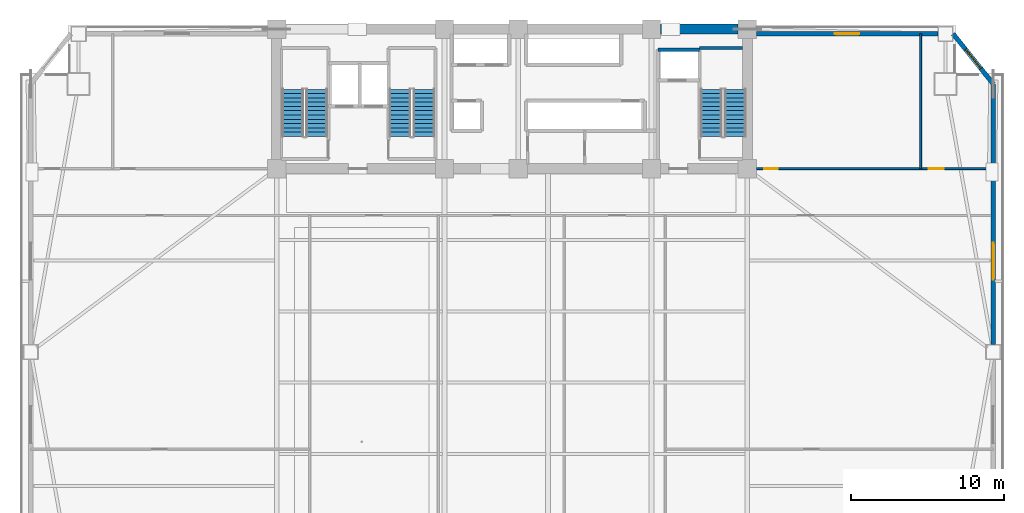
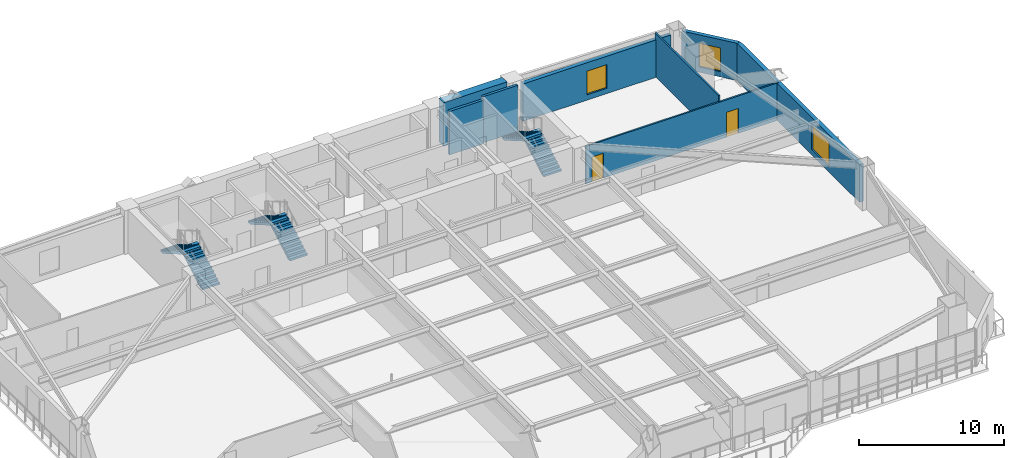
# One storey, part 12 of 18: 8 walls, 6 stair flights, 3 windows, 2 doors, 5 openings, 3 elements without a shape of their own.
"""IFC4 building model written with IfcOpenShell, lengths in metres."""

from ifc_helpers import new_model, si_unit, direction, frame, frame_2d, origin, place, context, subcontext, project, spatial, polyline, rectangle, outline, extrude, source, transform, mapped, material, layer, layer_set, type_object, element, fill, aggregate, save


model = new_model("IFC4")

# Units and contexts
model_context = context("Model", 3, precision=1e-05, world=origin(), true_north=direction((0.0, 1.0)))
body_context = subcontext(model_context, "Body", "Model", "MODEL_VIEW")
ifc_project = project(units=[si_unit("LENGTHUNIT", "METRE"), si_unit("AREAUNIT", "SQUARE_METRE"), si_unit("VOLUMEUNIT", "CUBIC_METRE"), si_unit("PLANEANGLEUNIT", "RADIAN"), si_unit("MASSUNIT", "GRAM", prefix="KILO")], contexts=[model_context])

# Site, building, storey
site_placement = place(None, origin())
site = spatial("IfcSite", under=ifc_project, at=site_placement, CompositionType="ELEMENT")
building_placement = place(site_placement, origin())
building = spatial("IfcBuilding", under=site, at=building_placement, Name="Giltprow Tower", CompositionType="ELEMENT")
storey_placement = place(building_placement, frame((0.0, 0.0, 61.10009765625)))
storey = spatial("IfcBuildingStorey", under=building, at=storey_placement, Name="L15", CompositionType="ELEMENT", Elevation=61.10009765625)

# Wall, opening, window
ifc_material_1 = material(Name="Precast concrete C40", Category="concrete")
ifc_layer_1 = layer(ifc_material_1, 0.300048828125, Name="Precast concrete C40")
ifc_layer_set_1 = layer_set([ifc_layer_1], Name="Precast concrete C40")
wall_type_1 = type_object("IfcWallType", Name="EW-NOTCH-CHAMFER-300", PredefinedType="SOLIDWALL", material=ifc_layer_set_1)
wall_1_placement = place(storey_placement, frame((66.595947265625, 42.97802734375, 0.0), z_axis=(0.0, 0.0, 1.0), x_axis=(-0.625312639048, 0.780374335461, 0.0)))
wall_1 = element("IfcWall", 1, at=wall_1_placement, inside=storey, type_object=wall_type_1, Name="L15 Corner Notch Wall NE", PredefinedType="SOLIDWALL", context=body_context, shape_type="SweptSolid", body=[
    extrude(rectangle(XDim=4.19287109375, YDim=0.300048828125, at=frame_2d((2.096435546875, 0.0))), origin(), (0.0, 0.0, 1.0), 3.159912109375),
])
opening_1_placement = place(wall_1_placement, frame((1.2958984375, 0.0, 0.449951171875)))
opening_1 = element("IfcOpeningElement", 2, at=opening_1_placement, cuts=wall_1, Name="Opening WN17", PredefinedType="OPENING", context=body_context, shape_type="SweptSolid", body=[
    extrude(rectangle(XDim=1.60009765625, YDim=2.0, at=frame_2d((0.800048828125, 1.0))), frame((0.0, 0.159912109375, 0.0), z_axis=(0.0, -1.0, 0.0), x_axis=(1.0, 0.0, 0.0)), (0.0, 0.0, 1.0), 0.320068359375),
])
ifc_material_2 = material(Name="Insulated glass", Category="glass")
window_type_1 = type_object("IfcWindowType", Name="WN-COR-1600x2000", PartitioningType="SINGLE_PANEL", PredefinedType="WINDOW", material=ifc_material_2)
shared_shape_1 = source(origin(), body_context, "Body", "SweptSolid", [
    extrude(rectangle(XDim=1.60009765625, YDim=2.0, at=frame_2d((0.800048828125, 1.0))), frame((0.0, 0.030029296875, 0.0), z_axis=(0.0, -1.0, 0.0), x_axis=(1.0, 0.0, 0.0)), (0.0, 0.0, 1.0), 0.06005859375),
])
window_1_placement = place(opening_1_placement, origin())
window_1 = element("IfcWindow", 3, at=window_1_placement, inside=storey, type_object=window_type_1, Name="L15 Corner Notch Window NE", OverallHeight=2.0, OverallWidth=1.60009765625, PartitioningType="SINGLE_PANEL", PredefinedType="WINDOW", context=body_context, shape_type="MappedRepresentation", body=[
    mapped(shared_shape_1, transform((0.0, 0.0, 0.0), x_axis=(1.0, 0.0, 0.0), y_axis=(0.0, 1.0, 0.0), z_axis=(0.0, 0.0, 1.0), scale=1.0)),
])
fill(opening_1, window_1)

ifc_layer_2 = layer(ifc_material_1, 0.320068359375, Name="Precast concrete C40")
ifc_layer_set_2 = layer_set([ifc_layer_2], Name="Precast concrete C40")
wall_type_2 = type_object("IfcWallType", Name="EW-TOW-STONE-320", PredefinedType="SOLIDWALL", material=ifc_layer_set_2)
wall_2_placement = place(storey_placement, frame((66.595947265625, 25.990966796875, 0.0), z_axis=(0.0, 0.0, 1.0), x_axis=(0.0, 1.0, 0.0)))
wall_2 = element("IfcWall", 4, at=wall_2_placement, inside=storey, type_object=wall_type_2, Name="L15 E Wing Masonry Wall 2", PredefinedType="SOLIDWALL", context=body_context, shape_type="SweptSolid", body=[
    extrude(rectangle(XDim=16.987060546875, YDim=0.320068359375, at=frame_2d((8.49365234375, 0.0))), origin(), (0.0, 0.0, 1.0), 3.159912109375),
])
opening_2_placement = place(wall_2_placement, frame((4.222900390625, 0.0, 0.449951171875)))
opening_2 = element("IfcOpeningElement", 5, at=opening_2_placement, cuts=wall_2, Name="Opening WN29", PredefinedType="OPENING", context=body_context, shape_type="SweptSolid", body=[
    extrude(rectangle(XDim=2.39990234375, YDim=2.10009765625, at=frame_2d((1.199951171875, 1.050048828125))), frame((0.0, 0.169921875, 0.0), z_axis=(0.0, -1.0, 0.0), x_axis=(1.0, 0.0, 0.0)), (0.0, 0.0, 1.0), 0.340087890625),
])
window_type_2 = type_object("IfcWindowType", Name="WN-OFF-2400x2100", PartitioningType="DOUBLE_PANEL_VERTICAL", PredefinedType="WINDOW", material=ifc_material_2)
shared_shape_2 = source(origin(), body_context, "Body", "SweptSolid", [
    extrude(rectangle(XDim=2.39990234375, YDim=2.10009765625, at=frame_2d((1.199951171875, 1.050048828125))), frame((0.0, 0.030029296875, 0.0), z_axis=(0.0, -1.0, 0.0), x_axis=(1.0, 0.0, 0.0)), (0.0, 0.0, 1.0), 0.06005859375),
])
window_2_placement = place(opening_2_placement, origin())
window_2 = element("IfcWindow", 6, at=window_2_placement, inside=storey, type_object=window_type_2, Name="L15 E Wing Window 2-1", OverallHeight=2.10009765625, OverallWidth=2.39990234375, PartitioningType="SINGLE_PANEL", PredefinedType="WINDOW", context=body_context, shape_type="MappedRepresentation", body=[
    mapped(shared_shape_2, transform((0.0, 0.0, 0.0), x_axis=(1.0, 0.0, 0.0), y_axis=(0.0, 1.0, 0.0), z_axis=(0.0, 0.0, 1.0), scale=1.0)),
])
fill(opening_2, window_2)

wall_3_placement = place(storey_placement, frame((51.14990234375, 46.25, 0.0), z_axis=(0.0, 0.0, 1.0), x_axis=(1.0, 0.0, 0.0)))
wall_3 = element("IfcWall", 7, at=wall_3_placement, inside=storey, type_object=wall_type_2, Name="L15 North-East Wing Wall", PredefinedType="SOLIDWALL", context=body_context, shape_type="SweptSolid", body=[
    extrude(rectangle(XDim=11.82421875, YDim=0.320068359375, at=frame_2d((5.912109375, 0.0))), origin(), (0.0, 0.0, 1.0), 3.159912109375),
])
opening_3_placement = place(wall_3_placement, frame((5.112060546875, 0.0, 0.449951171875)))
opening_3 = element("IfcOpeningElement", 8, at=opening_3_placement, cuts=wall_3, Name="Opening WN17", PredefinedType="OPENING", context=body_context, shape_type="SweptSolid", body=[
    extrude(rectangle(XDim=1.60009765625, YDim=2.0, at=frame_2d((0.800048828125, 1.0))), frame((0.0, 0.169921875, 0.0), z_axis=(0.0, -1.0, 0.0), x_axis=(1.0, 0.0, 0.0)), (0.0, 0.0, 1.0), 0.340087890625),
])
window_3_placement = place(opening_3_placement, origin())
window_3 = element("IfcWindow", 9, at=window_3_placement, inside=storey, type_object=window_type_1, Name="L15 North-East Window", OverallHeight=2.0, OverallWidth=1.60009765625, PartitioningType="SINGLE_PANEL", PredefinedType="WINDOW", context=body_context, shape_type="MappedRepresentation", body=[
    mapped(shared_shape_1, transform((0.0, 0.0, 0.0), x_axis=(1.0, 0.0, 0.0), y_axis=(0.0, 1.0, 0.0), z_axis=(0.0, 0.0, 1.0), scale=1.0)),
])
fill(opening_3, window_3)

# Walls
ifc_material_3 = material(Name="Concrete C40", Category="concrete")
ifc_layer_3 = layer(ifc_material_3, 0.219970703125, Name="Concrete C40")
ifc_layer_set_3 = layer_set([ifc_layer_3], Name="Concrete C40")
wall_type_3 = type_object("IfcWallType", Name="IW-SHAFT-220", PredefinedType="SOLIDWALL", material=ifc_layer_set_3)
wall_4_placement = place(storey_placement, frame((44.719970703125, 45.219970703125, 0.0), z_axis=(0.0, 0.0, 1.0), x_axis=(1.0, 0.0, 0.0)))
element("IfcWall", 10, at=wall_4_placement, inside=storey, type_object=wall_type_3, Name="L15 FFL2 Back Shaft Wall", PredefinedType="SOLIDWALL", context=body_context, shape_type="SweptSolid", body=[
    extrude(rectangle(XDim=2.719970703125, YDim=0.219970703125, at=frame_2d((1.35986328125, 0.0))), origin(), (0.0, 0.0, 1.0), 3.679931640625),
])
ifc_layer_4 = layer(ifc_material_3, 0.199951171875, Name="Concrete C40")
ifc_layer_set_4 = layer_set([ifc_layer_4], Name="Concrete C40")
wall_type_4 = type_object("IfcWallType", Name="IW-STAIR-200", PredefinedType="SOLIDWALL", material=ifc_layer_set_4)
wall_5_placement = place(storey_placement, frame((47.43994140625, 45.320068359375, 0.0), z_axis=(0.0, 0.0, 1.0), x_axis=(1.0, 0.0, 0.0)))
element("IfcWall", 11, at=wall_5_placement, inside=storey, type_object=wall_type_4, Name="L15 Stair ST-3 North Bearing Wall", PredefinedType="SOLIDWALL", context=body_context, shape_type="SweptSolid", body=[
    extrude(rectangle(XDim=2.80517578125, YDim=0.199951171875, at=frame_2d((1.402587890625, 0.0))), origin(), (0.0, 0.0, 1.0), 3.89990234375),
])

# Wall, openings, doors
ifc_material_4 = material(Name="Concrete C30", Category="concrete")
ifc_layer_5 = layer(ifc_material_4, 0.1298828125, Name="Concrete C30")
ifc_layer_set_5 = layer_set([ifc_layer_5], Name="Concrete C30")
wall_type_5 = type_object("IfcWallType", Name="IW-WET-130", PredefinedType="PARTITIONING", material=ifc_layer_set_5)
wall_6_placement = place(storey_placement, frame((51.14990234375, 37.449951171875, 0.0), z_axis=(0.0, 0.0, 1.0), x_axis=(1.0, 0.0, 0.0)))
wall_6 = element("IfcWall", 12, at=wall_6_placement, inside=storey, type_object=wall_type_5, Name="L15 NE Wing South Wall", PredefinedType="PARTITIONING", context=body_context, shape_type="SweptSolid", body=[
    extrude(rectangle(XDim=15.446044921875, YDim=0.1298828125, at=frame_2d((7.72314453125, 0.0))), origin(), (0.0, 0.0, 1.0), 3.164794921875),
])
opening_4_placement = place(wall_6_placement, frame((0.5, 0.0, 0.0)))
opening_4 = element("IfcOpeningElement", 13, at=opening_4_placement, cuts=wall_6, Name="Opening ID15", PredefinedType="OPENING", context=body_context, shape_type="SweptSolid", body=[
    extrude(rectangle(XDim=0.89990234375, YDim=2.10009765625, at=frame_2d((0.449951171875, 1.050048828125))), frame((0.0, 0.074951171875, 0.0), z_axis=(0.0, -1.0, 0.0), x_axis=(1.0, 0.0, 0.0)), (0.0, 0.0, 1.0), 0.14990234375),
])
opening_5_placement = place(wall_6_placement, frame((11.251953125, 0.0, 0.0)))
opening_5 = element("IfcOpeningElement", 14, at=opening_5_placement, cuts=wall_6, Name="Opening ID11", PredefinedType="OPENING", context=body_context, shape_type="SweptSolid", body=[
    extrude(rectangle(XDim=0.949951171875, YDim=2.10009765625, at=frame_2d((0.47509765625, 1.050048828125))), frame((0.0, 0.074951171875, 0.0), z_axis=(0.0, -1.0, 0.0), x_axis=(1.0, 0.0, 0.0)), (0.0, 0.0, 1.0), 0.14990234375),
])
ifc_material_5 = material(Name="Engineered timber", Category="wood")
door_type_1 = type_object("IfcDoorType", Name="DR-WC-900", OperationType="SINGLE_SWING_LEFT", PredefinedType="DOOR", material=ifc_material_5)
shared_shape_3 = source(origin(), body_context, "Body", "SweptSolid", [
    extrude(rectangle(XDim=0.89990234375, YDim=2.10009765625, at=frame_2d((0.449951171875, 1.050048828125))), frame((0.0, 0.02490234375, 0.0), z_axis=(0.0, -1.0, 0.0), x_axis=(1.0, 0.0, 0.0)), (0.0, 0.0, 1.0), 0.050048828125),
])
door_1_placement = place(opening_4_placement, origin())
door_1 = element("IfcDoor", 15, at=door_1_placement, inside=storey, type_object=door_type_1, Name="L15 East Wing Washroom Door", OperationType="SINGLE_SWING_RIGHT", OverallHeight=2.10009765625, OverallWidth=0.89990234375, PredefinedType="DOOR", context=body_context, shape_type="MappedRepresentation", body=[
    mapped(shared_shape_3, transform((0.0, 0.0, 0.0), x_axis=(1.0, 0.0, 0.0), y_axis=(0.0, 1.0, 0.0), z_axis=(0.0, 0.0, 1.0), scale=1.0)),
])
fill(opening_4, door_1)
door_type_2 = type_object("IfcDoorType", Name="DR-ROOM-950", OperationType="SINGLE_SWING_RIGHT", PredefinedType="DOOR", material=ifc_material_5)
shared_shape_4 = source(origin(), body_context, "Body", "SweptSolid", [
    extrude(rectangle(XDim=0.949951171875, YDim=2.10009765625, at=frame_2d((0.47509765625, 1.050048828125))), frame((0.0, 0.02490234375, 0.0), z_axis=(0.0, -1.0, 0.0), x_axis=(1.0, 0.0, 0.0)), (0.0, 0.0, 1.0), 0.050048828125),
])
door_2_placement = place(opening_5_placement, origin())
door_2 = element("IfcDoor", 16, at=door_2_placement, inside=storey, type_object=door_type_2, Name="L15 East Tenant Archive Store Door", OperationType="SINGLE_SWING_RIGHT", OverallHeight=2.10009765625, OverallWidth=0.949951171875, PredefinedType="DOOR", context=body_context, shape_type="MappedRepresentation", body=[
    mapped(shared_shape_4, transform((0.0, 0.0, 0.0), x_axis=(1.0, 0.0, 0.0), y_axis=(0.0, 1.0, 0.0), z_axis=(0.0, 0.0, 1.0), scale=1.0)),
])
fill(opening_5, door_2)

# Walls
wall_7_placement = place(storey_placement, frame((61.85205078125, 37.449951171875, 0.0), z_axis=(0.0, 0.0, 1.0), x_axis=(0.0, 1.0, 0.0)))
element("IfcWall", 17, at=wall_7_placement, inside=storey, type_object=wall_type_5, Name="L15 NE Wing Divider", PredefinedType="PARTITIONING", context=body_context, shape_type="SweptSolid", body=[
    extrude(rectangle(XDim=8.800048828125, YDim=0.1298828125, at=frame_2d((4.39990234375, 0.0))), origin(), (0.0, 0.0, 1.0), 3.679931640625),
])
ifc_material_6 = material(Name="Concrete C60", Category="concrete")
ifc_layer_6 = layer(ifc_material_6, 0.64990234375, Name="Concrete C60")
ifc_layer_set_6 = layer_set([ifc_layer_6], Name="Concrete C60")
wall_type_6 = type_object("IfcWallType", Name="SW-EXT-650-C60", PredefinedType="SHEAR", material=ifc_layer_set_6)
wall_8_placement = place(storey_placement, frame((44.89990234375, 46.550048828125, 0.0), z_axis=(0.0, 0.0, 1.0), x_axis=(1.0, 0.0, 0.0)))
element("IfcWall", 18, at=wall_8_placement, inside=storey, type_object=wall_type_6, Name="L15 North Rear Core Shear Wall 4", PredefinedType="SHEAR", context=body_context, shape_type="SweptSolid", body=[
    extrude(rectangle(XDim=5.050048828125, YDim=0.64990234375, at=frame_2d((2.52490234375, 0.0))), origin(), (0.0, 0.0, 1.0), 3.679931640625),
])

# Stair, stair flights
stair_type_1 = type_object("IfcStairType", Name="STR-ST-1", PredefinedType="HALF_TURN_STAIR", material=ifc_material_3)
stair_1_placement = place(storey_placement, origin())
stair_1 = element("IfcStair", 19, at=stair_1_placement, inside=storey, type_object=stair_type_1, Name="L15 Core Exit Stair ST-1", PredefinedType="HALF_TURN_STAIR")
stair_flight_type_1 = type_object("IfcStairFlightType", Name="SFL-ST-1", PredefinedType="STRAIGHT", material=ifc_material_3)
stair_flight_1_placement = place(storey_placement, frame((22.4599609375, 39.550048828125, 0.0), z_axis=(0.0, 0.0, 1.0), x_axis=(0.0, 1.0, 0.0)))
stair_flight_1 = element("IfcStairFlight", 20, at=stair_flight_1_placement, type_object=stair_flight_type_1, Name="ST-1 flight 1", NumberOfRisers=12, NumberOfTreads=11, PredefinedType="STRAIGHT", RiserHeight=0.1625, TreadLength=0.28, context=body_context, shape_type="SweptSolid", body=[
    extrude(outline(polyline([(0.0, 0.0), (0.0, 0.16259765625), (0.280029296875, 0.16259765625), (0.280029296875, 0.324951171875), (0.56005859375, 0.324951171875), (0.56005859375, 0.487548828125), (0.840087890625, 0.487548828125), (0.840087890625, 0.64990234375), (1.1201171875, 0.64990234375), (1.1201171875, 0.8125), (1.39990234375, 0.8125), (1.39990234375, 0.97509765625), (1.679931640625, 0.97509765625), (1.679931640625, 1.137451171875), (1.9599609375, 1.137451171875), (1.9599609375, 1.300048828125), (2.239990234375, 1.300048828125), (2.239990234375, 1.46240234375), (2.52001953125, 1.46240234375), (2.52001953125, 1.625), (2.800048828125, 1.625), (2.800048828125, 1.78759765625), (3.080078125, 1.78759765625), (3.080078125, 1.949951171875), (3.080078125, 1.6142578125), (0.298583984375, 0.0), (0.0, 0.0)])), frame((0.0, 0.699951171875, 0.0), z_axis=(0.0, -1.0, 0.0), x_axis=(1.0, 0.0, 0.0)), (0.0, 0.0, 1.0), 1.39990234375),
])
stair_flight_2_placement = place(storey_placement, frame((20.89990234375, 42.6298828125, 1.949951171875), z_axis=(0.0, 0.0, 1.0), x_axis=(0.0, -1.0, 0.0)))
stair_flight_2 = element("IfcStairFlight", 21, at=stair_flight_2_placement, type_object=stair_flight_type_1, Name="ST-1 flight 2", NumberOfRisers=12, NumberOfTreads=11, PredefinedType="STRAIGHT", RiserHeight=0.1625, TreadLength=0.28, context=body_context, shape_type="SweptSolid", body=[
    extrude(outline(polyline([(0.0, 0.0), (0.0, 0.16259765625), (0.280029296875, 0.16259765625), (0.280029296875, 0.324951171875), (0.56005859375, 0.324951171875), (0.56005859375, 0.487548828125), (0.840087890625, 0.487548828125), (0.840087890625, 0.64990234375), (1.1201171875, 0.64990234375), (1.1201171875, 0.8125), (1.39990234375, 0.8125), (1.39990234375, 0.97509765625), (1.679931640625, 0.97509765625), (1.679931640625, 1.137451171875), (1.9599609375, 1.137451171875), (1.9599609375, 1.300048828125), (2.239990234375, 1.300048828125), (2.239990234375, 1.46240234375), (2.52001953125, 1.46240234375), (2.52001953125, 1.625), (2.800048828125, 1.625), (2.800048828125, 1.78759765625), (3.080078125, 1.78759765625), (3.080078125, 1.949951171875), (3.080078125, 1.6142578125), (0.298583984375, 0.0), (0.0, 0.0)])), frame((0.0, 0.699951171875, 0.0), z_axis=(0.0, -1.0, 0.0), x_axis=(1.0, 0.0, 0.0)), (0.0, 0.0, 1.0), 1.39990234375),
])
aggregate(stair_1, [stair_flight_1, stair_flight_2])

stair_type_2 = type_object("IfcStairType", Name="STR-ST-2", PredefinedType="HALF_TURN_STAIR", material=ifc_material_3)
stair_2_placement = place(storey_placement, origin())
stair_2 = element("IfcStair", 22, at=stair_2_placement, inside=storey, type_object=stair_type_2, Name="L15 Core Exit Stair ST-2", PredefinedType="HALF_TURN_STAIR")
stair_flight_type_2 = type_object("IfcStairFlightType", Name="SFL-ST-2", PredefinedType="STRAIGHT", material=ifc_material_3)
stair_flight_3_placement = place(storey_placement, frame((29.4599609375, 39.550048828125, 0.0), z_axis=(0.0, 0.0, 1.0), x_axis=(0.0, 1.0, 0.0)))
stair_flight_3 = element("IfcStairFlight", 23, at=stair_flight_3_placement, type_object=stair_flight_type_2, Name="ST-2 flight 1", NumberOfRisers=12, NumberOfTreads=11, PredefinedType="STRAIGHT", RiserHeight=0.1625, TreadLength=0.28, context=body_context, shape_type="SweptSolid", body=[
    extrude(outline(polyline([(0.0, 0.0), (0.0, 0.16259765625), (0.280029296875, 0.16259765625), (0.280029296875, 0.324951171875), (0.56005859375, 0.324951171875), (0.56005859375, 0.487548828125), (0.840087890625, 0.487548828125), (0.840087890625, 0.64990234375), (1.1201171875, 0.64990234375), (1.1201171875, 0.8125), (1.39990234375, 0.8125), (1.39990234375, 0.97509765625), (1.679931640625, 0.97509765625), (1.679931640625, 1.137451171875), (1.9599609375, 1.137451171875), (1.9599609375, 1.300048828125), (2.239990234375, 1.300048828125), (2.239990234375, 1.46240234375), (2.52001953125, 1.46240234375), (2.52001953125, 1.625), (2.800048828125, 1.625), (2.800048828125, 1.78759765625), (3.080078125, 1.78759765625), (3.080078125, 1.949951171875), (3.080078125, 1.6142578125), (0.298583984375, 0.0), (0.0, 0.0)])), frame((0.0, 0.699951171875, 0.0), z_axis=(0.0, -1.0, 0.0), x_axis=(1.0, 0.0, 0.0)), (0.0, 0.0, 1.0), 1.39990234375),
])
stair_flight_4_placement = place(storey_placement, frame((27.89990234375, 42.6298828125, 1.949951171875), z_axis=(0.0, 0.0, 1.0), x_axis=(0.0, -1.0, 0.0)))
stair_flight_4 = element("IfcStairFlight", 24, at=stair_flight_4_placement, type_object=stair_flight_type_2, Name="ST-2 flight 2", NumberOfRisers=12, NumberOfTreads=11, PredefinedType="STRAIGHT", RiserHeight=0.1625, TreadLength=0.28, context=body_context, shape_type="SweptSolid", body=[
    extrude(outline(polyline([(0.0, 0.0), (0.0, 0.16259765625), (0.280029296875, 0.16259765625), (0.280029296875, 0.324951171875), (0.56005859375, 0.324951171875), (0.56005859375, 0.487548828125), (0.840087890625, 0.487548828125), (0.840087890625, 0.64990234375), (1.1201171875, 0.64990234375), (1.1201171875, 0.8125), (1.39990234375, 0.8125), (1.39990234375, 0.97509765625), (1.679931640625, 0.97509765625), (1.679931640625, 1.137451171875), (1.9599609375, 1.137451171875), (1.9599609375, 1.300048828125), (2.239990234375, 1.300048828125), (2.239990234375, 1.46240234375), (2.52001953125, 1.46240234375), (2.52001953125, 1.625), (2.800048828125, 1.625), (2.800048828125, 1.78759765625), (3.080078125, 1.78759765625), (3.080078125, 1.949951171875), (3.080078125, 1.6142578125), (0.298583984375, 0.0), (0.0, 0.0)])), frame((0.0, 0.699951171875, 0.0), z_axis=(0.0, -1.0, 0.0), x_axis=(1.0, 0.0, 0.0)), (0.0, 0.0, 1.0), 1.39990234375),
])
aggregate(stair_2, [stair_flight_3, stair_flight_4])

stair_type_3 = type_object("IfcStairType", Name="STR-ST-3", PredefinedType="HALF_TURN_STAIR", material=ifc_material_3)
stair_3_placement = place(storey_placement, origin())
stair_3 = element("IfcStair", 25, at=stair_3_placement, inside=storey, type_object=stair_type_3, Name="L15 Core Exit Stair ST-3", PredefinedType="HALF_TURN_STAIR")
stair_flight_type_3 = type_object("IfcStairFlightType", Name="SFL-ST-3", PredefinedType="STRAIGHT", material=ifc_material_3)
stair_flight_5_placement = place(storey_placement, frame((49.760009765625, 39.550048828125, 0.0), z_axis=(0.0, 0.0, 1.0), x_axis=(0.0, 1.0, 0.0)))
stair_flight_5 = element("IfcStairFlight", 26, at=stair_flight_5_placement, type_object=stair_flight_type_3, Name="ST-3 flight 1", NumberOfRisers=12, NumberOfTreads=11, PredefinedType="STRAIGHT", RiserHeight=0.1625, TreadLength=0.28, context=body_context, shape_type="SweptSolid", body=[
    extrude(outline(polyline([(0.0, 0.0), (0.0, 0.16259765625), (0.280029296875, 0.16259765625), (0.280029296875, 0.324951171875), (0.56005859375, 0.324951171875), (0.56005859375, 0.487548828125), (0.840087890625, 0.487548828125), (0.840087890625, 0.64990234375), (1.1201171875, 0.64990234375), (1.1201171875, 0.8125), (1.39990234375, 0.8125), (1.39990234375, 0.97509765625), (1.679931640625, 0.97509765625), (1.679931640625, 1.137451171875), (1.9599609375, 1.137451171875), (1.9599609375, 1.300048828125), (2.239990234375, 1.300048828125), (2.239990234375, 1.46240234375), (2.52001953125, 1.46240234375), (2.52001953125, 1.625), (2.800048828125, 1.625), (2.800048828125, 1.78759765625), (3.080078125, 1.78759765625), (3.080078125, 1.949951171875), (3.080078125, 1.6142578125), (0.298583984375, 0.0), (0.0, 0.0)])), frame((0.0, 0.699951171875, 0.0), z_axis=(0.0, -1.0, 0.0), x_axis=(1.0, 0.0, 0.0)), (0.0, 0.0, 1.0), 1.39990234375),
])
stair_flight_6_placement = place(storey_placement, frame((48.199951171875, 42.6298828125, 1.949951171875), z_axis=(0.0, 0.0, 1.0), x_axis=(0.0, -1.0, 0.0)))
stair_flight_6 = element("IfcStairFlight", 27, at=stair_flight_6_placement, type_object=stair_flight_type_3, Name="ST-3 flight 2", NumberOfRisers=12, NumberOfTreads=11, PredefinedType="STRAIGHT", RiserHeight=0.1625, TreadLength=0.28, context=body_context, shape_type="SweptSolid", body=[
    extrude(outline(polyline([(0.0, 0.0), (0.0, 0.16259765625), (0.280029296875, 0.16259765625), (0.280029296875, 0.324951171875), (0.56005859375, 0.324951171875), (0.56005859375, 0.487548828125), (0.840087890625, 0.487548828125), (0.840087890625, 0.64990234375), (1.1201171875, 0.64990234375), (1.1201171875, 0.8125), (1.39990234375, 0.8125), (1.39990234375, 0.97509765625), (1.679931640625, 0.97509765625), (1.679931640625, 1.137451171875), (1.9599609375, 1.137451171875), (1.9599609375, 1.300048828125), (2.239990234375, 1.300048828125), (2.239990234375, 1.46240234375), (2.52001953125, 1.46240234375), (2.52001953125, 1.625), (2.800048828125, 1.625), (2.800048828125, 1.78759765625), (3.080078125, 1.78759765625), (3.080078125, 1.949951171875), (3.080078125, 1.6142578125), (0.298583984375, 0.0), (0.0, 0.0)])), frame((0.0, 0.699951171875, 0.0), z_axis=(0.0, -1.0, 0.0), x_axis=(1.0, 0.0, 0.0)), (0.0, 0.0, 1.0), 1.39990234375),
])
aggregate(stair_3, [stair_flight_5, stair_flight_6])

save(model, "model.ifc")
